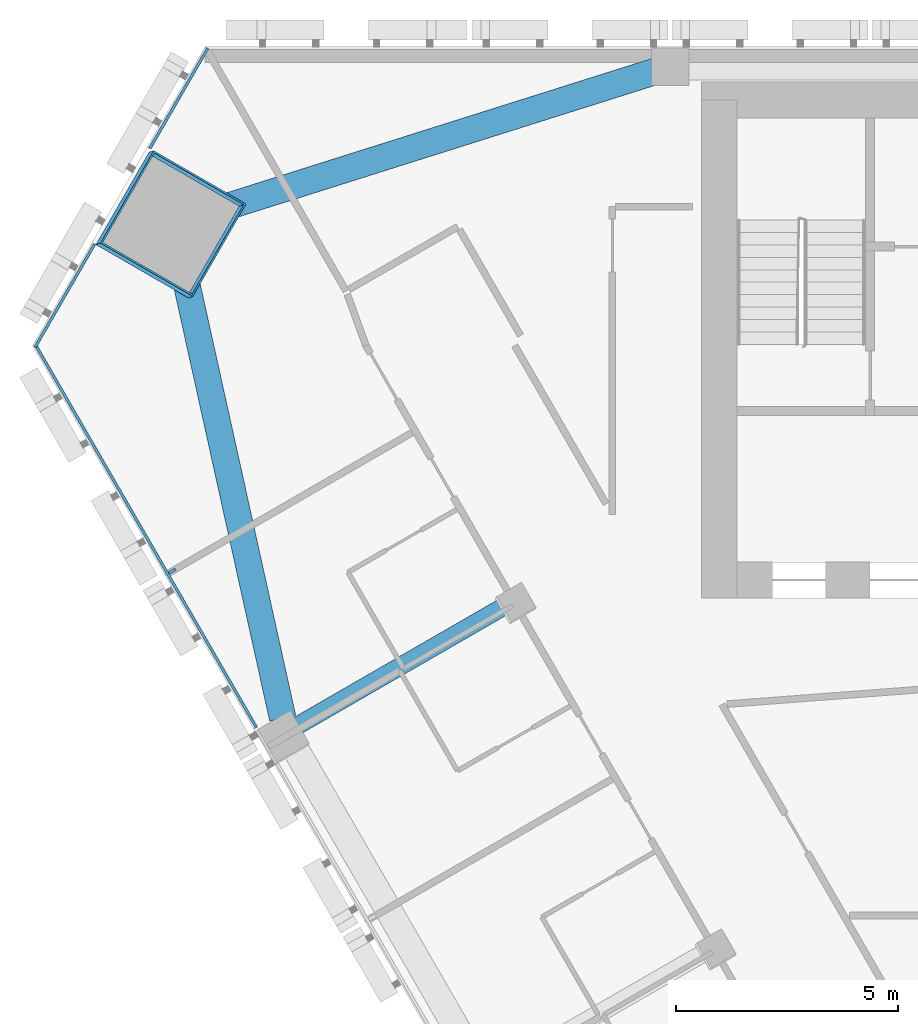
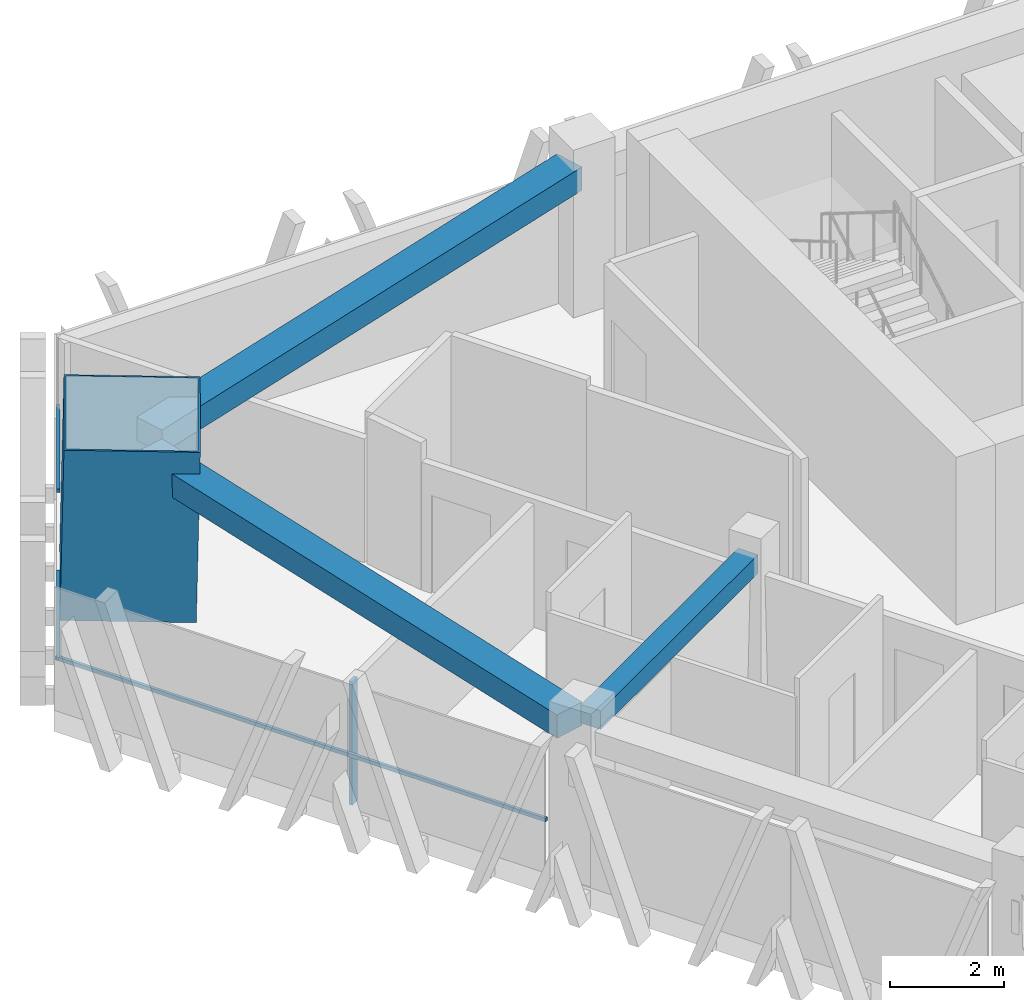
# One storey, part 5 of 16: 5 members, 3 beams, 2 elements without a shape of their own.
"""IFC4 building model written with IfcOpenShell, lengths in metres."""

from ifc_helpers import new_model, si_unit, direction, frame, origin, origin_2d, place, context, subcontext, project, spatial, rectangle, hollow_rectangle, extrude, material, layer, layer_set, material_profile, profile_set, type_object, element, aggregate, save


model = new_model("IFC4")

# Units and contexts
model_context = context("Model", 3, precision=1e-05, world=origin(), true_north=direction((0.0, 1.0)))
body_context = subcontext(model_context, "Body", "Model", "MODEL_VIEW")
ifc_project = project(units=[si_unit("LENGTHUNIT", "METRE"), si_unit("AREAUNIT", "SQUARE_METRE"), si_unit("VOLUMEUNIT", "CUBIC_METRE"), si_unit("PLANEANGLEUNIT", "RADIAN"), si_unit("MASSUNIT", "GRAM", prefix="KILO")], contexts=[model_context])

# Site, building, storey
site_placement = place(None, origin())
site = spatial("IfcSite", under=ifc_project, at=site_placement, CompositionType="ELEMENT")
building_placement = place(site_placement, origin())
building = spatial("IfcBuilding", under=site, at=building_placement, Name="Altiplano Prism Tower", CompositionType="ELEMENT")
storey_placement = place(building_placement, frame((0.0, 0.0, 131.39990234375)))
storey = spatial("IfcBuildingStorey", under=building, at=storey_placement, Name="L33", CompositionType="ELEMENT", Elevation=131.39990234375)

# Curtain wall, member
ifc_material_1 = material(Name="Aluminium and glass", Category="aluminium")
ifc_layer = layer(ifc_material_1, 0.280029296875)
ifc_layer_set = layer_set([ifc_layer], Name="Aluminium and glass")
curtain_wall_type = type_object("IfcCurtainWallType", Name="CW1 typical co-living unitised curtain wall", PredefinedType="NOTDEFINED", material=ifc_layer_set)
curtain_wall_1_placement = place(storey_placement, origin())
curtain_wall_1 = element("IfcCurtainWall", 1, at=curtain_wall_1_placement, inside=storey, type_object=curtain_wall_type, Name="CW1 curtain wall south-west face L33", PredefinedType="NOTDEFINED")
ifc_material_2 = material(Name="Aluminium", Category="aluminium")
ifc_material_profile_1 = material_profile(ifc_material_2, rectangle(XDim=0.179931640625, YDim=0.06494140625, at=origin_2d()), Name="CW1 mullion 65 x 180")
ifc_profile_set_1 = profile_set([ifc_material_profile_1], Name="Aluminium")
member_type_1 = type_object("IfcMemberType", Name="CW1 mullion 65 x 180", PredefinedType="MULLION", material=ifc_profile_set_1)
member_1_placement = place(storey_placement, frame((60.297607421875, 93.201416015625, 0.0), z_axis=(0.0, 0.0, 1.0), x_axis=(0.86602540251, 0.500000002207, 0.0)))
member_1 = element("IfcMember", 2, at=member_1_placement, type_object=member_type_1, Name="CW1 mullion", PredefinedType="MULLION", context=body_context, shape_type="SweptSolid", body=[
    extrude(rectangle(XDim=0.179931640625, YDim=0.06494140625, at=origin_2d()), origin(), (0.0, 0.0, 1.0), 2.650146484375),
])

# Curtain wall, members
curtain_wall_2_placement = place(storey_placement, origin())
curtain_wall_2 = element("IfcCurtainWall", 3, at=curtain_wall_2_placement, inside=storey, type_object=curtain_wall_type, Name="CW1 curtain wall north-west chamfer L33", PredefinedType="NOTDEFINED")
ifc_material_profile_2 = material_profile(ifc_material_2, rectangle(XDim=0.06005859375, YDim=0.080078125, at=origin_2d()), Name="CW1 transom 80 x 60")
ifc_profile_set_2 = profile_set([ifc_material_profile_2], Name="Aluminium")
member_type_2 = type_object("IfcMemberType", Name="CW1 transom 80 x 60", PredefinedType="USERDEFINED", material=ifc_profile_set_2)
member_2_placement = place(storey_placement, frame((61.0947265625, 104.965087890625, 1.10009765625), z_axis=(-0.500001094379, -0.866024771944, 0.0), x_axis=(0.866024771944, -0.500001094379, 0.0)))
member_2 = element("IfcMember", 4, at=member_2_placement, type_object=member_type_2, Name="CW1 transom", ObjectType="TRANSOM", PredefinedType="USERDEFINED", context=body_context, shape_type="SweptSolid", body=[
    extrude(rectangle(XDim=0.06005859375, YDim=0.080078125, at=origin_2d()), origin(), (0.0, 0.0, 1.0), 2.60400390625),
])
member_3_placement = place(storey_placement, frame((58.552978515625, 100.562255859375, 1.10009765625), z_axis=(-0.500003280469, -0.866023509796, 0.0), x_axis=(0.866023509796, -0.500003280469, 0.0)))
member_3 = element("IfcMember", 5, at=member_3_placement, type_object=member_type_2, Name="CW1 transom", ObjectType="TRANSOM", PredefinedType="USERDEFINED", context=body_context, shape_type="SweptSolid", body=[
    extrude(rectangle(XDim=0.06005859375, YDim=0.080078125, at=origin_2d()), origin(), (0.0, 0.0, 1.0), 2.68408203125),
])
aggregate(curtain_wall_2, [member_2, member_3])

# Member
member_4_placement = place(storey_placement, frame((57.2109375, 98.307861328125, 1.10009765625), z_axis=(0.500006033555, -0.866021920282, 0.0), x_axis=(0.866021920282, 0.500006033555, 0.0)))
member_4 = element("IfcMember", 6, at=member_4_placement, type_object=member_type_2, Name="CW1 transom", ObjectType="TRANSOM", PredefinedType="USERDEFINED", context=body_context, shape_type="SweptSolid", body=[
    extrude(rectangle(XDim=0.06005859375, YDim=0.080078125, at=origin_2d()), origin(), (0.0, 0.0, 1.0), 9.96142578125),
])

aggregate(curtain_wall_1, [member_1, member_4])

# Beams
ifc_material_3 = material(Name="Concrete C60/75", Category="concrete")
ifc_material_profile_3 = material_profile(ifc_material_3, rectangle(XDim=0.60009765625, YDim=0.5, at=origin_2d()), Name="Edge beam 600x500")
ifc_profile_set_3 = profile_set([ifc_material_profile_3], Name="Concrete C60/75")
beam_type_1 = type_object("IfcBeamType", Name="Edge beam 600x500", PredefinedType="SPANDREL", material=ifc_profile_set_3)
beam_1_placement = place(storey_placement, frame((71.189453125, 104.451904296875, 2.900146484375), z_axis=(-0.95358772039, -0.30111535916, 0.0), x_axis=(0.30111535916, -0.95358772039, 0.0)))
element("IfcBeam", 7, at=beam_1_placement, inside=storey, type_object=beam_type_1, Name="Edge beam P04-M0 L34", PredefinedType="SPANDREL", context=body_context, shape_type="SweptSolid", body=[
    extrude(rectangle(XDim=0.60009765625, YDim=0.5, at=origin_2d()), origin(), (0.0, 0.0, 1.0), 10.947998046875),
])
beam_2_placement = place(storey_placement, frame((60.41748046875, 100.580322265625, 2.900146484375), z_axis=(0.216016602284, -0.976389690409, 0.0), x_axis=(0.976389690409, 0.216016602284, 0.0)))
element("IfcBeam", 8, at=beam_2_placement, inside=storey, type_object=beam_type_1, Name="Edge beam M0-P11 L34", PredefinedType="SPANDREL", context=body_context, shape_type="SweptSolid", body=[
    extrude(rectangle(XDim=0.60009765625, YDim=0.5, at=origin_2d()), origin(), (0.0, 0.0, 1.0), 10.9482421875),
])

# Member
ifc_material_4 = material(Name="Steel S460", Category="steel")
ifc_material_profile_4 = material_profile(ifc_material_4, hollow_rectangle(XDim=2.39990234375, YDim=2.39990234375, WallThickness=0.0400390625, at=origin_2d()), Name="Mega column tube 2400")
ifc_profile_set_4 = profile_set([ifc_material_profile_4], Name="Steel S460")
member_type_3 = type_object("IfcMemberType", Name="Mega column tube 2400", PredefinedType="POST", material=ifc_profile_set_4)
member_5_placement = place(storey_placement, frame((60.218017578125, 100.986328125, 0.0), z_axis=(0.028401796786, 0.009286506348, 0.999553449666), x_axis=(-0.866201915964, 0.499294786535, 0.019973905943)))
element("IfcMember", 9, at=member_5_placement, inside=storey, type_object=member_type_3, Name="Mega column tube M0 L33", PredefinedType="POST", context=body_context, shape_type="SweptSolid", body=[
    extrude(hollow_rectangle(XDim=2.39990234375, YDim=2.39990234375, WallThickness=0.0400390625, at=origin_2d()), origin(), (0.0, 0.0, 1.0), 3.601806640625),
])

# Beam
ifc_material_profile_5 = material_profile(ifc_material_3, rectangle(XDim=0.39990234375, YDim=0.39990234375, at=origin_2d()), Name="Tie beam 400x400")
ifc_profile_set_5 = profile_set([ifc_material_profile_5], Name="Concrete C60/75")
beam_type_2 = type_object("IfcBeamType", Name="Tie beam 400x400", PredefinedType="BEAM", material=ifc_profile_set_5)
beam_3_placement = place(storey_placement, frame((67.914794921875, 92.4951171875, 2.9501953125), z_axis=(-0.866046155052, -0.499964056028, 0.0), x_axis=(0.499964056028, -0.866046155052, 0.0)))
element("IfcBeam", 10, at=beam_3_placement, inside=storey, type_object=beam_type_2, Name="Tie beam I11 L34", PredefinedType="BEAM", context=body_context, shape_type="SweptSolid", body=[
    extrude(rectangle(XDim=0.39990234375, YDim=0.39990234375, at=origin_2d()), origin(), (0.0, 0.0, 1.0), 5.5400390625),
])

save(model, "model.ifc")
